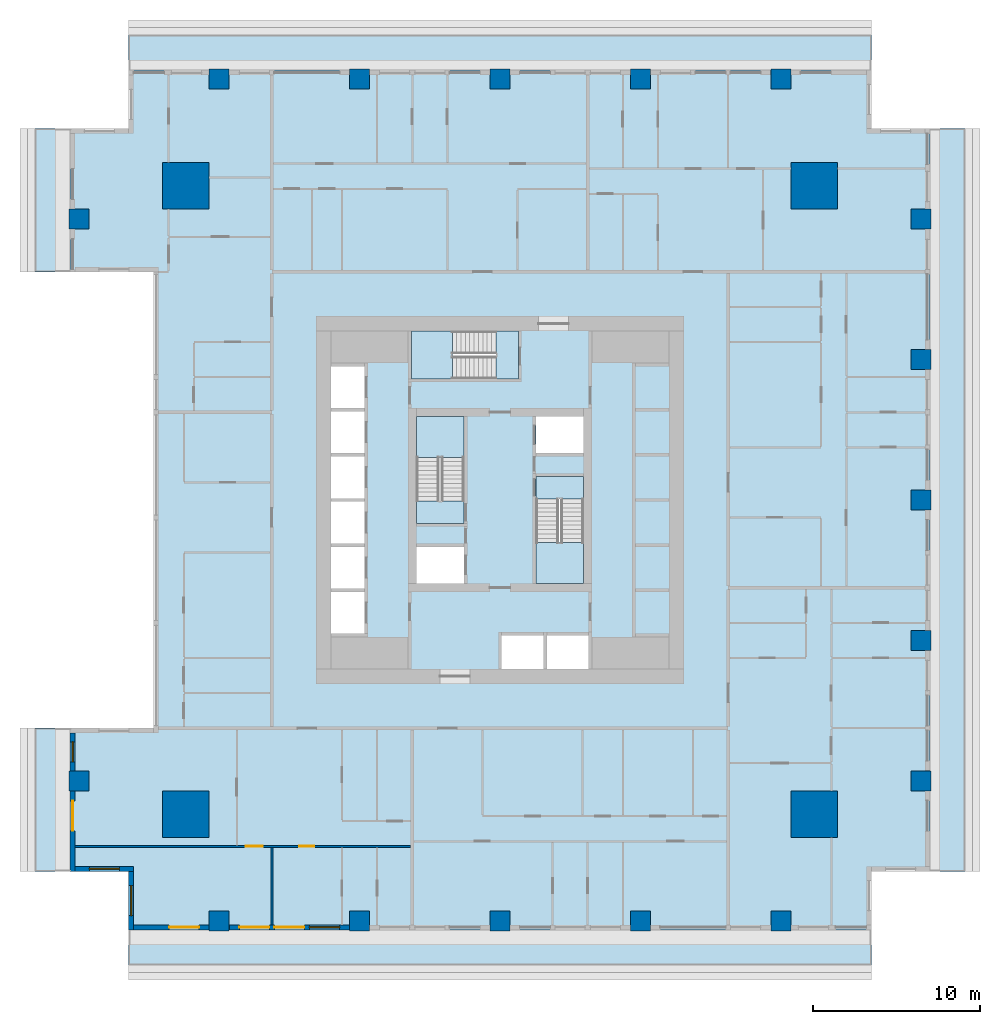
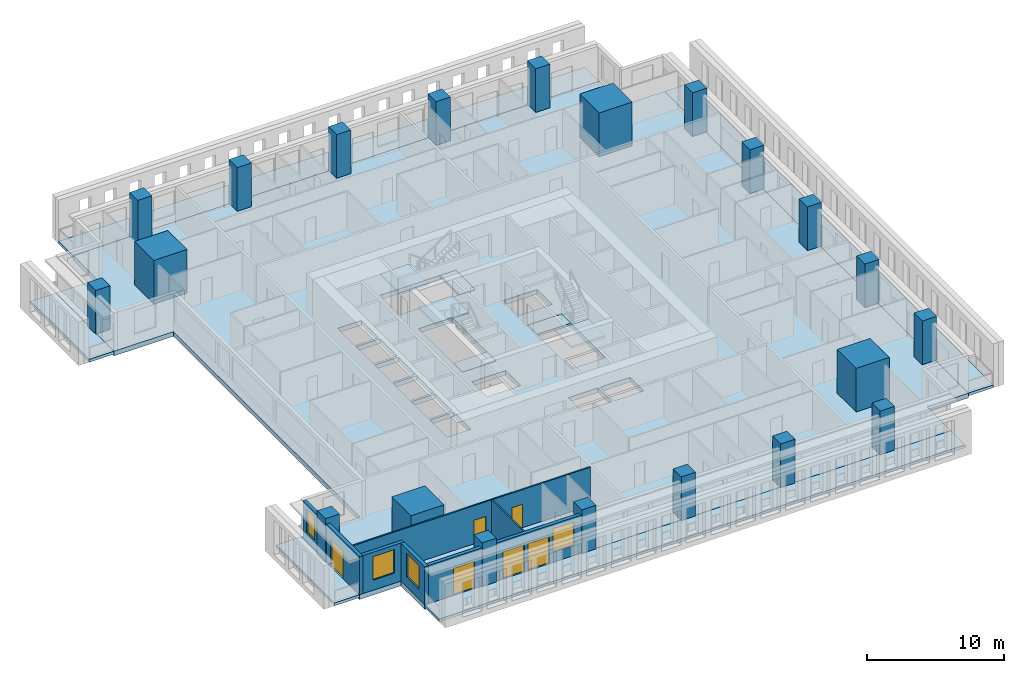
# One storey, part 1 of 14: 21 columns, 12 slabs, 8 walls, 6 doors, 4 windows, 10 openings, 3 elements without a shape of their own.
"""IFC4 building model written with IfcOpenShell, lengths in metres."""

from ifc_helpers import new_model, si_unit, direction, frame, frame_2d, origin, origin_2d, place, context, subcontext, project, spatial, polyline, rectangle, outline, extrude, material, layer, layer_set, material_profile, profile_set, type_object, element, fill, aggregate, save


model = new_model("IFC4")

# Units and contexts
model_context = context("Model", 3, precision=1e-05, world=origin(), true_north=direction((0.0, 1.0)))
body_context = subcontext(model_context, "Body", "Model", "MODEL_VIEW")
ifc_project = project(units=[si_unit("LENGTHUNIT", "METRE"), si_unit("AREAUNIT", "SQUARE_METRE"), si_unit("VOLUMEUNIT", "CUBIC_METRE"), si_unit("PLANEANGLEUNIT", "RADIAN"), si_unit("MASSUNIT", "GRAM", prefix="KILO")], contexts=[model_context])

# Site, building, storey
site_placement = place(None, origin())
site = spatial("IfcSite", under=ifc_project, at=site_placement, CompositionType="ELEMENT")
building_placement = place(site_placement, origin())
building = spatial("IfcBuilding", under=site, at=building_placement, Name="Khepri Terraces", CompositionType="ELEMENT")
storey_placement = place(building_placement, frame((0.0, 0.0, 122.10009765625)))
storey = spatial("IfcBuildingStorey", under=building, at=storey_placement, Name="L29", CompositionType="ELEMENT", Elevation=122.10009765625)

# Columns
ifc_material_1 = material(Name="Concrete C70/85", Category="concrete")
ifc_material_profile_1 = material_profile(ifc_material_1, rectangle(XDim=2.800048828125, YDim=2.800048828125, at=origin_2d()), Name="Concrete C70/85", Category="concrete")
ifc_profile_set_1 = profile_set([ifc_material_profile_1], Name="Concrete C70/85")
column_type_1 = type_object("IfcColumnType", Name="Mega column RC 2800x2800 C70/85", PredefinedType="COLUMN", material=ifc_profile_set_1)
for number, where, z_axis, x_axis, name in (
    (1, (18.800048828125, 18.800048828125, 0.0), (0.0, 0.0, 1.0), (1.0, 0.0, 0.0), "Mega column MEN L29"),
    (2, (18.800048828125, -18.800048828125, 0.0), (0.0, 0.0, 1.0), (1.0, 0.0, 0.0), "Mega column MES L29"),
    (3, (-18.800048828125, 18.800048828125, 0.0), (0.0, 0.0, 1.0), (1.0, 0.0, 0.0), "Mega column MWN L29"),
    (4, (-18.800048828125, -18.800048828125, 0.0), (0.0, 0.0, 1.0), (1.0, 0.0, 0.0), "Mega column MWS L29"),
):
    element("IfcColumn", number, at=place(storey_placement, frame(where, z_axis=z_axis, x_axis=x_axis)), inside=storey, type_object=column_type_1, Name=name, PredefinedType="COLUMN", context=body_context, shape_type="SweptSolid", body=[
        extrude(rectangle(XDim=2.800048828125, YDim=2.800048828125, at=origin_2d()), origin(), (0.0, 0.0, 1.0), 3.89990234375),
    ])
ifc_material_profile_2 = material_profile(ifc_material_1, rectangle(XDim=1.199951171875, YDim=1.199951171875, at=origin_2d()), Name="Concrete C70/85", Category="concrete")
ifc_profile_set_2 = profile_set([ifc_material_profile_2], Name="Concrete C70/85")
column_type_2 = type_object("IfcColumnType", Name="Tower column RC 1200x1200 C70/85", PredefinedType="COLUMN", material=ifc_profile_set_2)
for number, where, z_axis, x_axis, name in (
    (5, (25.199951171875, 0.0, 0.0), (0.0, 0.0, 1.0), (1.0, 0.0, 0.0), "Perimeter column PE+000a L29"),
    (6, (25.199951171875, 8.39990234375, 0.0), (0.0, 0.0, 1.0), (1.0, 0.0, 0.0), "Perimeter column PE+084a L29"),
    (7, (25.199951171875, 16.800048828125, 0.0), (0.0, 0.0, 1.0), (1.0, 0.0, 0.0), "Perimeter column PE+168a L29"),
    (8, (25.199951171875, -8.39990234375, 0.0), (0.0, 0.0, 1.0), (1.0, 0.0, 0.0), "Perimeter column PE-084a L29"),
    (9, (25.199951171875, -16.800048828125, 0.0), (0.0, 0.0, 1.0), (1.0, 0.0, 0.0), "Perimeter column PE-168a L29"),
    (10, (0.0, 25.199951171875, 0.0), (0.0, 0.0, 1.0), (1.0, 0.0, 0.0), "Perimeter column PN+000a L29"),
    (11, (-8.39990234375, 25.199951171875, 0.0), (0.0, 0.0, 1.0), (1.0, 0.0, 0.0), "Perimeter column PN+084a L29"),
    (12, (-16.800048828125, 25.199951171875, 0.0), (0.0, 0.0, 1.0), (1.0, 0.0, 0.0), "Perimeter column PN+168a L29"),
    (13, (8.39990234375, 25.199951171875, 0.0), (0.0, 0.0, 1.0), (1.0, 0.0, 0.0), "Perimeter column PN-084a L29"),
    (14, (16.800048828125, 25.199951171875, 0.0), (0.0, 0.0, 1.0), (1.0, 0.0, 0.0), "Perimeter column PN-168a L29"),
    (15, (0.0, -25.199951171875, 0.0), (0.0, 0.0, 1.0), (1.0, 0.0, 0.0), "Perimeter column PS+000b L29"),
    (16, (8.39990234375, -25.199951171875, 0.0), (0.0, 0.0, 1.0), (1.0, 0.0, 0.0), "Perimeter column PS+084b L29"),
    (17, (16.800048828125, -25.199951171875, 0.0), (0.0, 0.0, 1.0), (1.0, 0.0, 0.0), "Perimeter column PS+168a L29"),
    (18, (-8.39990234375, -25.199951171875, 0.0), (0.0, 0.0, 1.0), (1.0, 0.0, 0.0), "Perimeter column PS-084b L29"),
    (19, (-16.800048828125, -25.199951171875, 0.0), (0.0, 0.0, 1.0), (1.0, 0.0, 0.0), "Perimeter column PS-168a L29"),
    (20, (-25.199951171875, -16.800048828125, 0.0), (0.0, 0.0, 1.0), (1.0, 0.0, 0.0), "Perimeter column PW+168a L29"),
    (21, (-25.199951171875, 16.800048828125, 0.0), (0.0, 0.0, 1.0), (1.0, 0.0, 0.0), "Perimeter column PW-168a L29"),
):
    element("IfcColumn", number, at=place(storey_placement, frame(where, z_axis=z_axis, x_axis=x_axis)), inside=storey, type_object=column_type_2, Name=name, PredefinedType="COLUMN", context=body_context, shape_type="SweptSolid", body=[
        extrude(rectangle(XDim=1.199951171875, YDim=1.199951171875, at=origin_2d()), origin(), (0.0, 0.0, 1.0), 3.89990234375),
    ])

# Slabs
ifc_material_2 = material(Name="Concrete C40/50", Category="concrete")
ifc_layer_1 = layer(ifc_material_2, 0.419921875, Name="Concrete C40/50", Category="concrete")
ifc_layer_set_1 = layer_set([ifc_layer_1], Name="Concrete C40/50")
slab_type_1 = type_object("IfcSlabType", Name="Flat plate 420", PredefinedType="FLOOR", material=ifc_layer_set_1)
slab_1_placement = place(storey_placement, frame((0.0, 0.0, -0.420166015625)))
element("IfcSlab", 22, at=slab_1_placement, inside=storey, type_object=slab_type_1, Name="Floor slab F01 L29", PredefinedType="FLOOR", context=body_context, shape_type="SweptSolid", body=[
    extrude(outline(polyline([(22.219970703125, 22.219970703125), (25.719970703125, 22.219970703125), (25.719970703125, -22.219970703125), (22.219970703125, -22.219970703125), (22.219970703125, -25.719970703125), (-22.219970703125, -25.719970703125), (-22.219970703125, -22.219970703125), (-25.719970703125, -22.219970703125), (-25.719970703125, -13.64990234375), (-20.719970703125, -13.64990234375), (-20.719970703125, 13.64990234375), (-25.719970703125, 13.64990234375), (-25.719970703125, 22.219970703125), (-22.219970703125, 22.219970703125), (-22.219970703125, 25.719970703125), (22.219970703125, 25.719970703125), (22.219970703125, 22.219970703125)]), holes=[polyline([(5.0, 5.0), (2.14990234375, 5.0), (2.14990234375, 2.800048828125), (5.0, 2.800048828125), (5.0, 5.0)]), polyline([(-2.14990234375, -5.0), (-2.14990234375, -2.800048828125), (-5.0, -2.800048828125), (-5.0, -5.0), (-2.14990234375, -5.0)]), polyline([(-10.10009765625, -8.0), (-8.10009765625, -8.0), (-8.10009765625, -5.5), (-10.10009765625, -5.5), (-10.10009765625, -8.0)]), polyline([(-10.10009765625, -2.800048828125), (-10.10009765625, -5.300048828125), (-8.10009765625, -5.300048828125), (-8.10009765625, -2.800048828125), (-10.10009765625, -2.800048828125)]), polyline([(-8.10009765625, -0.10009765625), (-10.10009765625, -0.10009765625), (-10.10009765625, -2.60009765625), (-8.10009765625, -2.60009765625), (-8.10009765625, -0.10009765625)]), polyline([(-8.10009765625, 0.10009765625), (-8.10009765625, 2.60009765625), (-10.10009765625, 2.60009765625), (-10.10009765625, 0.10009765625), (-8.10009765625, 0.10009765625)]), polyline([(-10.10009765625, 2.800048828125), (-8.10009765625, 2.800048828125), (-8.10009765625, 5.300048828125), (-10.10009765625, 5.300048828125), (-10.10009765625, 2.800048828125)]), polyline([(-10.10009765625, 8.0), (-10.10009765625, 5.5), (-8.10009765625, 5.5), (-8.10009765625, 8.0), (-10.10009765625, 8.0)]), polyline([(2.60009765625, -8.10009765625), (0.10009765625, -8.10009765625), (0.10009765625, -10.10009765625), (2.60009765625, -10.10009765625), (2.60009765625, -8.10009765625)]), polyline([(5.300048828125, -10.10009765625), (5.300048828125, -8.10009765625), (2.800048828125, -8.10009765625), (2.800048828125, -10.10009765625), (5.300048828125, -10.10009765625)]), polyline([(-5.0, -1.39990234375), (-2.14990234375, -1.39990234375), (-2.14990234375, 5.0), (-5.0, 5.0), (-5.0, -1.39990234375)]), polyline([(5.0, -5.0), (5.0, 1.39990234375), (2.14990234375, 1.39990234375), (2.14990234375, -5.0), (5.0, -5.0)]), polyline([(-5.300048828125, 10.10009765625), (-5.300048828125, 7.25), (1.10009765625, 7.25), (1.10009765625, 10.10009765625), (-5.300048828125, 10.10009765625)])]), origin(), (0.0, 0.0, 1.0), 0.420166015625),
])
ifc_material_3 = material(Name="Precast concrete C50/60 warm stone", Category="masonry")
ifc_layer_2 = layer(ifc_material_3, 0.25, Name="Precast concrete C50/60 warm stone", Category="masonry")
ifc_layer_set_2 = layer_set([ifc_layer_2], Name="Precast concrete C50/60 warm stone")
slab_type_2 = type_object("IfcSlabType", Name="SLB-BALCONY-250", PredefinedType="FLOOR", material=ifc_layer_set_2)
slab_2_placement = place(storey_placement, frame((0.0, 0.0, -0.25)))
element("IfcSlab", 23, at=slab_2_placement, inside=storey, type_object=slab_type_2, Name="Balcony slab L29 S", PredefinedType="FLOOR", context=body_context, shape_type="SweptSolid", body=[
    extrude(outline(polyline([(-17.39990234375, -25.719970703125), (-22.219970703125, -25.719970703125), (-22.219970703125, -27.820068359375), (22.219970703125, -27.820068359375), (22.219970703125, -25.719970703125), (17.39990234375, -25.719970703125), (17.39990234375, -25.800048828125), (16.199951171875, -25.800048828125), (16.199951171875, -25.719970703125), (9.0, -25.719970703125), (9.0, -25.800048828125), (7.800048828125, -25.800048828125), (7.800048828125, -25.719970703125), (0.60009765625, -25.719970703125), (0.60009765625, -25.800048828125), (-0.60009765625, -25.800048828125), (-0.60009765625, -25.719970703125), (-7.800048828125, -25.719970703125), (-7.800048828125, -25.800048828125), (-9.0, -25.800048828125), (-9.0, -25.719970703125), (-16.199951171875, -25.719970703125), (-16.199951171875, -25.800048828125), (-17.39990234375, -25.800048828125), (-17.39990234375, -25.719970703125)])), origin(), (0.0, 0.0, 1.0), 0.25),
])
slab_3_placement = place(storey_placement, frame((0.0, 0.0, -0.25)))
element("IfcSlab", 24, at=slab_3_placement, inside=storey, type_object=slab_type_2, Name="Balcony slab L29 E", PredefinedType="FLOOR", context=body_context, shape_type="SweptSolid", body=[
    extrude(outline(polyline([(25.719970703125, -17.39990234375), (25.719970703125, -22.219970703125), (27.820068359375, -22.219970703125), (27.820068359375, 22.219970703125), (25.719970703125, 22.219970703125), (25.719970703125, 17.39990234375), (25.800048828125, 17.39990234375), (25.800048828125, 16.199951171875), (25.719970703125, 16.199951171875), (25.719970703125, 9.0), (25.800048828125, 9.0), (25.800048828125, 7.800048828125), (25.719970703125, 7.800048828125), (25.719970703125, 0.60009765625), (25.800048828125, 0.60009765625), (25.800048828125, -0.60009765625), (25.719970703125, -0.60009765625), (25.719970703125, -7.800048828125), (25.800048828125, -7.800048828125), (25.800048828125, -9.0), (25.719970703125, -9.0), (25.719970703125, -16.199951171875), (25.800048828125, -16.199951171875), (25.800048828125, -17.39990234375), (25.719970703125, -17.39990234375)])), origin(), (0.0, 0.0, 1.0), 0.25),
])
slab_4_placement = place(storey_placement, frame((0.0, 0.0, -0.25)))
element("IfcSlab", 25, at=slab_4_placement, inside=storey, type_object=slab_type_2, Name="Balcony slab L29 N", PredefinedType="FLOOR", context=body_context, shape_type="SweptSolid", body=[
    extrude(outline(polyline([(17.39990234375, 25.719970703125), (22.219970703125, 25.719970703125), (22.219970703125, 27.820068359375), (-22.219970703125, 27.820068359375), (-22.219970703125, 25.719970703125), (-17.39990234375, 25.719970703125), (-17.39990234375, 25.800048828125), (-16.199951171875, 25.800048828125), (-16.199951171875, 25.719970703125), (-9.0, 25.719970703125), (-9.0, 25.800048828125), (-7.800048828125, 25.800048828125), (-7.800048828125, 25.719970703125), (-0.60009765625, 25.719970703125), (-0.60009765625, 25.800048828125), (0.60009765625, 25.800048828125), (0.60009765625, 25.719970703125), (7.800048828125, 25.719970703125), (7.800048828125, 25.800048828125), (9.0, 25.800048828125), (9.0, 25.719970703125), (16.199951171875, 25.719970703125), (16.199951171875, 25.800048828125), (17.39990234375, 25.800048828125), (17.39990234375, 25.719970703125)])), origin(), (0.0, 0.0, 1.0), 0.25),
])
slab_5_placement = place(storey_placement, frame((0.0, 0.0, -0.25)))
element("IfcSlab", 26, at=slab_5_placement, inside=storey, type_object=slab_type_2, Name="Balcony slab L29 W", PredefinedType="FLOOR", context=body_context, shape_type="SweptSolid", body=[
    extrude(outline(polyline([(-25.719970703125, 17.39990234375), (-25.719970703125, 22.219970703125), (-27.820068359375, 22.219970703125), (-27.820068359375, 13.64990234375), (-25.719970703125, 13.64990234375), (-25.719970703125, 16.199951171875), (-25.800048828125, 16.199951171875), (-25.800048828125, 17.39990234375), (-25.719970703125, 17.39990234375)])), origin(), (0.0, 0.0, 1.0), 0.25),
])
slab_6_placement = place(storey_placement, frame((0.0, 0.0, -0.25)))
element("IfcSlab", 27, at=slab_6_placement, inside=storey, type_object=slab_type_2, Name="Balcony slab L29 W", PredefinedType="FLOOR", context=body_context, shape_type="SweptSolid", body=[
    extrude(outline(polyline([(-25.719970703125, -16.199951171875), (-25.719970703125, -13.64990234375), (-27.820068359375, -13.64990234375), (-27.820068359375, -22.219970703125), (-25.719970703125, -22.219970703125), (-25.719970703125, -17.39990234375), (-25.800048828125, -17.39990234375), (-25.800048828125, -16.199951171875), (-25.719970703125, -16.199951171875)])), origin(), (0.0, 0.0, 1.0), 0.25),
])

# Stair, slabs
stair_type = type_object("IfcStairType", Name="STAIR-RC-22R", PredefinedType="HALF_TURN_STAIR", material=ifc_material_2)
stair_1_placement = place(storey_placement, origin())
stair_1 = element("IfcStair", 28, at=stair_1_placement, inside=storey, type_object=stair_type, Name="L29 Exit Stair ST-1", PredefinedType="HALF_TURN_STAIR")
ifc_layer_3 = layer(ifc_material_2, 0.199951171875, Name="Concrete C40/50", Category="concrete")
ifc_layer_set_3 = layer_set([ifc_layer_3], Name="Concrete C40/50")
slab_type_3 = type_object("IfcSlabType", Name="SLB-CORE-LANDING", PredefinedType="LANDING", material=ifc_layer_set_3)
slab_7_placement = place(storey_placement, frame((0.0, 0.0, -0.2001953125)))
slab_7 = element("IfcSlab", 29, at=slab_7_placement, type_object=slab_type_3, Name="ST-1 landing 1", PredefinedType="LANDING", context=body_context, shape_type="SweptSolid", body=[
    extrude(outline(polyline([(-2.14990234375, -1.39990234375), (-2.14990234375, -0.050048828125), (-5.0, -0.050048828125), (-5.0, -1.39990234375), (-2.14990234375, -1.39990234375)])), origin(), (0.0, 0.0, 1.0), 0.2001953125),
])
slab_8_placement = place(storey_placement, frame((0.0, 0.0, 1.75)))
slab_8 = element("IfcSlab", 30, at=slab_8_placement, type_object=slab_type_3, Name="ST-1 landing 2", PredefinedType="LANDING", context=body_context, shape_type="SweptSolid", body=[
    extrude(outline(polyline([(-2.14990234375, 2.550048828125), (-2.14990234375, 5.0), (-5.0, 5.0), (-5.0, 2.550048828125), (-2.14990234375, 2.550048828125)])), origin(), (0.0, 0.0, 1.0), 0.199951171875),
])
aggregate(stair_1, [slab_7, slab_8])

stair_2_placement = place(storey_placement, origin())
stair_2 = element("IfcStair", 31, at=stair_2_placement, inside=storey, type_object=stair_type, Name="L29 Exit Stair ST-2", PredefinedType="HALF_TURN_STAIR")
slab_9_placement = place(storey_placement, frame((0.0, 0.0, -0.2001953125)))
slab_9 = element("IfcSlab", 32, at=slab_9_placement, type_object=slab_type_3, Name="ST-2 landing 1", PredefinedType="LANDING", context=body_context, shape_type="SweptSolid", body=[
    extrude(outline(polyline([(2.14990234375, 1.39990234375), (2.14990234375, 0.050048828125), (5.0, 0.050048828125), (5.0, 1.39990234375), (2.14990234375, 1.39990234375)])), origin(), (0.0, 0.0, 1.0), 0.2001953125),
])
slab_10_placement = place(storey_placement, frame((0.0, 0.0, 1.75)))
slab_10 = element("IfcSlab", 33, at=slab_10_placement, type_object=slab_type_3, Name="ST-2 landing 2", PredefinedType="LANDING", context=body_context, shape_type="SweptSolid", body=[
    extrude(outline(polyline([(2.14990234375, -2.550048828125), (2.14990234375, -5.0), (5.0, -5.0), (5.0, -2.550048828125), (2.14990234375, -2.550048828125)])), origin(), (0.0, 0.0, 1.0), 0.199951171875),
])
aggregate(stair_2, [slab_9, slab_10])

stair_3_placement = place(storey_placement, origin())
stair_3 = element("IfcStair", 34, at=stair_3_placement, inside=storey, type_object=stair_type, Name="L29 Exit Stair ST-3", PredefinedType="HALF_TURN_STAIR")
slab_11_placement = place(storey_placement, frame((0.0, 0.0, -0.2001953125)))
slab_11 = element("IfcSlab", 35, at=slab_11_placement, type_object=slab_type_3, Name="ST-3 landing 1", PredefinedType="LANDING", context=body_context, shape_type="SweptSolid", body=[
    extrude(outline(polyline([(1.10009765625, 10.10009765625), (-0.25, 10.10009765625), (-0.25, 7.25), (1.10009765625, 7.25), (1.10009765625, 10.10009765625)])), origin(), (0.0, 0.0, 1.0), 0.2001953125),
])
slab_12_placement = place(storey_placement, frame((0.0, 0.0, 1.75)))
slab_12 = element("IfcSlab", 36, at=slab_12_placement, type_object=slab_type_3, Name="ST-3 landing 2", PredefinedType="LANDING", context=body_context, shape_type="SweptSolid", body=[
    extrude(outline(polyline([(-2.85009765625, 10.10009765625), (-5.300048828125, 10.10009765625), (-5.300048828125, 7.25), (-2.85009765625, 7.25), (-2.85009765625, 10.10009765625)])), origin(), (0.0, 0.0, 1.0), 0.199951171875),
])
aggregate(stair_3, [slab_11, slab_12])

# Wall, opening, window
ifc_layer_4 = layer(ifc_material_3, 0.300048828125, Name="Precast concrete C50/60 warm stone", Category="masonry")
ifc_layer_set_4 = layer_set([ifc_layer_4], Name="Precast concrete C50/60 warm stone")
wall_type_1 = type_object("IfcWallType", Name="WL-EXT-PRECAST-300", PredefinedType="STANDARD", material=ifc_layer_set_4)
wall_1_placement = place(storey_placement, frame((-25.570068359375, -13.949951171875, 0.0), z_axis=(0.0, 0.0, 1.0), x_axis=(0.0, -1.0, 0.0)))
wall_1 = element("IfcWall", 37, at=wall_1_placement, inside=storey, type_object=wall_type_1, Name="External wall L29 W", PredefinedType="STANDARD", context=body_context, shape_type="SweptSolid", body=[
    extrude(rectangle(XDim=2.25, YDim=0.300048828125, at=frame_2d((1.125, 0.0))), origin(), (0.0, 0.0, 1.0), 3.39990234375),
])
opening_1_placement = place(wall_1_placement, frame((0.52490234375, 0.0, 0.89990234375)))
opening_1 = element("IfcOpeningElement", 38, at=opening_1_placement, cuts=wall_1, Name="Opening W4", PredefinedType="OPENING", context=body_context, shape_type="SweptSolid", body=[
    extrude(rectangle(XDim=1.199951171875, YDim=2.10009765625, at=frame_2d((0.60009765625, 1.050048828125))), frame((0.0, 0.16015625, 0.0), z_axis=(0.0, -1.0, 0.0), x_axis=(1.0, 0.0, 0.0)), (0.0, 0.0, 1.0), 0.320068359375),
])
ifc_material_4 = material(Name="Clear glass", Category="glass")
window_type_1 = type_object("IfcWindowType", Name="WIN-RES-1200x2100", PartitioningType="SINGLE_PANEL", PredefinedType="WINDOW", material=ifc_material_4)
window_1_placement = place(opening_1_placement, origin())
window_1 = element("IfcWindow", 39, at=window_1_placement, inside=storey, type_object=window_type_1, Name="Window L29 W", OverallHeight=2.10009765625, OverallWidth=1.199951171875, PartitioningType="SINGLE_PANEL", PredefinedType="WINDOW", context=body_context, shape_type="SweptSolid", body=[
    extrude(rectangle(XDim=1.199951171875, YDim=2.10009765625, at=frame_2d((0.60009765625, 1.050048828125))), frame((0.0, 0.030029296875, 0.0), z_axis=(0.0, -1.0, 0.0), x_axis=(1.0, 0.0, 0.0)), (0.0, 0.0, 1.0), 0.06005859375),
])
fill(opening_1, window_1)

# Wall, opening, door
wall_2_placement = place(storey_placement, frame((-25.570068359375, -17.39990234375, 0.0), z_axis=(0.0, 0.0, 1.0), x_axis=(0.0, -1.0, 0.0)))
wall_2 = element("IfcWall", 40, at=wall_2_placement, inside=storey, type_object=wall_type_1, Name="External wall L29 W", PredefinedType="STANDARD", context=body_context, shape_type="SweptSolid", body=[
    extrude(rectangle(XDim=4.820068359375, YDim=0.300048828125, at=frame_2d((2.41015625, 0.0))), origin(), (0.0, 0.0, 1.0), 3.39990234375),
])
opening_2_placement = place(wall_2_placement, frame((0.60009765625, 0.0, 0.0)))
opening_2 = element("IfcOpeningElement", 41, at=opening_2_placement, cuts=wall_2, Name="Opening ED-L29-17", PredefinedType="OPENING", context=body_context, shape_type="SweptSolid", body=[
    extrude(rectangle(XDim=1.800048828125, YDim=2.39990234375, at=frame_2d((0.89990234375, 1.199951171875))), frame((0.0, 0.16015625, 0.0), z_axis=(0.0, -1.0, 0.0), x_axis=(1.0, 0.0, 0.0)), (0.0, 0.0, 1.0), 0.320068359375),
])
ifc_material_5 = material(Name="Anodised aluminium bronze glazed door", Category="aluminium")
door_type_1 = type_object("IfcDoorType", Name="DR-BAL-SLIDE-1800x2400", OperationType="NOTDEFINED", PredefinedType="DOOR", material=ifc_material_5)
door_1_placement = place(opening_2_placement, origin())
door_1 = element("IfcDoor", 42, at=door_1_placement, inside=storey, type_object=door_type_1, Name="Balcony door L29 W", OperationType="SLIDING_TO_LEFT", OverallHeight=2.39990234375, OverallWidth=1.800048828125, PredefinedType="DOOR", context=body_context, shape_type="SweptSolid", body=[
    extrude(rectangle(XDim=1.800048828125, YDim=2.39990234375, at=frame_2d((0.89990234375, 1.199951171875))), frame((0.0, 0.02490234375, 0.0), z_axis=(0.0, -1.0, 0.0), x_axis=(1.0, 0.0, 0.0)), (0.0, 0.0, 1.0), 0.050048828125),
])
fill(opening_2, door_1)

# Wall, opening, window
wall_3_placement = place(storey_placement, frame((-25.419921875, -22.070068359375, 0.0), z_axis=(0.0, 0.0, 1.0), x_axis=(1.0, 0.0, 0.0)))
wall_3 = element("IfcWall", 43, at=wall_3_placement, inside=storey, type_object=wall_type_1, Name="External wall L29 S", PredefinedType="STANDARD", context=body_context, shape_type="SweptSolid", body=[
    extrude(rectangle(XDim=3.5, YDim=0.300048828125, at=frame_2d((1.75, 0.0))), origin(), (0.0, 0.0, 1.0), 3.39990234375),
])
opening_3_placement = place(wall_3_placement, frame((0.85009765625, 0.0, 0.89990234375)))
opening_3 = element("IfcOpeningElement", 44, at=opening_3_placement, cuts=wall_3, Name="Opening W1", PredefinedType="OPENING", context=body_context, shape_type="SweptSolid", body=[
    extrude(rectangle(XDim=1.800048828125, YDim=2.10009765625, at=frame_2d((0.89990234375, 1.050048828125))), frame((0.0, 0.16015625, 0.0), z_axis=(0.0, -1.0, 0.0), x_axis=(1.0, 0.0, 0.0)), (0.0, 0.0, 1.0), 0.320068359375),
])
window_type_2 = type_object("IfcWindowType", Name="WIN-RES-1800x2100", PartitioningType="SINGLE_PANEL", PredefinedType="WINDOW", material=ifc_material_4)
window_2_placement = place(opening_3_placement, origin())
window_2 = element("IfcWindow", 45, at=window_2_placement, inside=storey, type_object=window_type_2, Name="Window L29 S", OverallHeight=2.10009765625, OverallWidth=1.800048828125, PartitioningType="SINGLE_PANEL", PredefinedType="WINDOW", context=body_context, shape_type="SweptSolid", body=[
    extrude(rectangle(XDim=1.800048828125, YDim=2.10009765625, at=frame_2d((0.89990234375, 1.050048828125))), frame((0.0, 0.030029296875, 0.0), z_axis=(0.0, -1.0, 0.0), x_axis=(1.0, 0.0, 0.0)), (0.0, 0.0, 1.0), 0.06005859375),
])
fill(opening_3, window_2)

wall_4_placement = place(storey_placement, frame((-22.070068359375, -22.219970703125, 0.0), z_axis=(0.0, 0.0, 1.0), x_axis=(0.0, -1.0, 0.0)))
wall_4 = element("IfcWall", 46, at=wall_4_placement, inside=storey, type_object=wall_type_1, Name="External wall L29 W", PredefinedType="STANDARD", context=body_context, shape_type="SweptSolid", body=[
    extrude(rectangle(XDim=3.5, YDim=0.300048828125, at=frame_2d((1.75, 0.0))), origin(), (0.0, 0.0, 1.0), 3.39990234375),
])
opening_4_placement = place(wall_4_placement, frame((0.85009765625, 0.0, 0.89990234375)))
opening_4 = element("IfcOpeningElement", 47, at=opening_4_placement, cuts=wall_4, Name="Opening W1", PredefinedType="OPENING", context=body_context, shape_type="SweptSolid", body=[
    extrude(rectangle(XDim=1.800048828125, YDim=2.10009765625, at=frame_2d((0.89990234375, 1.050048828125))), frame((0.0, 0.16015625, 0.0), z_axis=(0.0, -1.0, 0.0), x_axis=(1.0, 0.0, 0.0)), (0.0, 0.0, 1.0), 0.320068359375),
])
window_3_placement = place(opening_4_placement, origin())
window_3 = element("IfcWindow", 48, at=window_3_placement, inside=storey, type_object=window_type_2, Name="Window L29 W", OverallHeight=2.10009765625, OverallWidth=1.800048828125, PartitioningType="SINGLE_PANEL", PredefinedType="WINDOW", context=body_context, shape_type="SweptSolid", body=[
    extrude(rectangle(XDim=1.800048828125, YDim=2.10009765625, at=frame_2d((0.89990234375, 1.050048828125))), frame((0.0, 0.030029296875, 0.0), z_axis=(0.0, -1.0, 0.0), x_axis=(1.0, 0.0, 0.0)), (0.0, 0.0, 1.0), 0.06005859375),
])
fill(opening_4, window_3)

# Wall, opening, door
wall_5_placement = place(storey_placement, frame((-21.919921875, -25.570068359375, 0.0), z_axis=(0.0, 0.0, 1.0), x_axis=(1.0, 0.0, 0.0)))
wall_5 = element("IfcWall", 49, at=wall_5_placement, inside=storey, type_object=wall_type_1, Name="External wall L29 S", PredefinedType="STANDARD", context=body_context, shape_type="SweptSolid", body=[
    extrude(rectangle(XDim=4.52001953125, YDim=0.300048828125, at=frame_2d((2.260009765625, 0.0))), origin(), (0.0, 0.0, 1.0), 3.39990234375),
])
opening_5_placement = place(wall_5_placement, frame((2.1201171875, 0.0, 0.0)))
opening_5 = element("IfcOpeningElement", 50, at=opening_5_placement, cuts=wall_5, Name="Opening ED-L29-18", PredefinedType="OPENING", context=body_context, shape_type="SweptSolid", body=[
    extrude(rectangle(XDim=1.800048828125, YDim=2.39990234375, at=frame_2d((0.89990234375, 1.199951171875))), frame((0.0, 0.16015625, 0.0), z_axis=(0.0, -1.0, 0.0), x_axis=(1.0, 0.0, 0.0)), (0.0, 0.0, 1.0), 0.320068359375),
])
door_2_placement = place(opening_5_placement, origin())
door_2 = element("IfcDoor", 51, at=door_2_placement, inside=storey, type_object=door_type_1, Name="Balcony door L29 S", OperationType="SLIDING_TO_RIGHT", OverallHeight=2.39990234375, OverallWidth=1.800048828125, PredefinedType="DOOR", context=body_context, shape_type="SweptSolid", body=[
    extrude(rectangle(XDim=1.800048828125, YDim=2.39990234375, at=frame_2d((0.89990234375, 1.199951171875))), frame((0.0, 0.02490234375, 0.0), z_axis=(0.0, -1.0, 0.0), x_axis=(1.0, 0.0, 0.0)), (0.0, 0.0, 1.0), 0.050048828125),
])
fill(opening_5, door_2)

# Wall, openings, doors, window
wall_6_placement = place(storey_placement, frame((-16.199951171875, -25.570068359375, 0.0), z_axis=(0.0, 0.0, 1.0), x_axis=(1.0, 0.0, 0.0)))
wall_6 = element("IfcWall", 52, at=wall_6_placement, inside=storey, type_object=wall_type_1, Name="External wall L29 S", PredefinedType="STANDARD", context=body_context, shape_type="SweptSolid", body=[
    extrude(rectangle(XDim=7.199951171875, YDim=0.300048828125, at=frame_2d((3.60009765625, 0.0))), origin(), (0.0, 0.0, 1.0), 3.39990234375),
])
opening_6_placement = place(wall_6_placement, frame((0.60009765625, 0.0, 0.0)))
opening_6 = element("IfcOpeningElement", 53, at=opening_6_placement, cuts=wall_6, Name="Opening ED-L29-19", PredefinedType="OPENING", context=body_context, shape_type="SweptSolid", body=[
    extrude(rectangle(XDim=1.800048828125, YDim=2.39990234375, at=frame_2d((0.89990234375, 1.199951171875))), frame((0.0, 0.16015625, 0.0), z_axis=(0.0, -1.0, 0.0), x_axis=(1.0, 0.0, 0.0)), (0.0, 0.0, 1.0), 0.320068359375),
])
opening_7_placement = place(wall_6_placement, frame((2.699951171875, 0.0, 0.0)))
opening_7 = element("IfcOpeningElement", 54, at=opening_7_placement, cuts=wall_6, Name="Opening ED-L29-20", PredefinedType="OPENING", context=body_context, shape_type="SweptSolid", body=[
    extrude(rectangle(XDim=1.800048828125, YDim=2.39990234375, at=frame_2d((0.89990234375, 1.199951171875))), frame((0.0, 0.16015625, 0.0), z_axis=(0.0, -1.0, 0.0), x_axis=(1.0, 0.0, 0.0)), (0.0, 0.0, 1.0), 0.320068359375),
])
opening_8_placement = place(wall_6_placement, frame((4.800048828125, 0.0, 0.89990234375)))
opening_8 = element("IfcOpeningElement", 55, at=opening_8_placement, cuts=wall_6, Name="Opening W1", PredefinedType="OPENING", context=body_context, shape_type="SweptSolid", body=[
    extrude(rectangle(XDim=1.800048828125, YDim=2.10009765625, at=frame_2d((0.89990234375, 1.050048828125))), frame((0.0, 0.16015625, 0.0), z_axis=(0.0, -1.0, 0.0), x_axis=(1.0, 0.0, 0.0)), (0.0, 0.0, 1.0), 0.320068359375),
])
door_3_placement = place(opening_6_placement, origin())
door_3 = element("IfcDoor", 56, at=door_3_placement, inside=storey, type_object=door_type_1, Name="Balcony door L29 S", OperationType="SLIDING_TO_LEFT", OverallHeight=2.39990234375, OverallWidth=1.800048828125, PredefinedType="DOOR", context=body_context, shape_type="SweptSolid", body=[
    extrude(rectangle(XDim=1.800048828125, YDim=2.39990234375, at=frame_2d((0.89990234375, 1.199951171875))), frame((0.0, 0.02490234375, 0.0), z_axis=(0.0, -1.0, 0.0), x_axis=(1.0, 0.0, 0.0)), (0.0, 0.0, 1.0), 0.050048828125),
])
fill(opening_6, door_3)
door_4_placement = place(opening_7_placement, origin())
door_4 = element("IfcDoor", 57, at=door_4_placement, inside=storey, type_object=door_type_1, Name="Balcony door L29 S", OperationType="SLIDING_TO_RIGHT", OverallHeight=2.39990234375, OverallWidth=1.800048828125, PredefinedType="DOOR", context=body_context, shape_type="SweptSolid", body=[
    extrude(rectangle(XDim=1.800048828125, YDim=2.39990234375, at=frame_2d((0.89990234375, 1.199951171875))), frame((0.0, 0.02490234375, 0.0), z_axis=(0.0, -1.0, 0.0), x_axis=(1.0, 0.0, 0.0)), (0.0, 0.0, 1.0), 0.050048828125),
])
fill(opening_7, door_4)
window_4_placement = place(opening_8_placement, origin())
window_4 = element("IfcWindow", 58, at=window_4_placement, inside=storey, type_object=window_type_2, Name="Window L29 S", OverallHeight=2.10009765625, OverallWidth=1.800048828125, PartitioningType="SINGLE_PANEL", PredefinedType="WINDOW", context=body_context, shape_type="SweptSolid", body=[
    extrude(rectangle(XDim=1.800048828125, YDim=2.10009765625, at=frame_2d((0.89990234375, 1.050048828125))), frame((0.0, 0.030029296875, 0.0), z_axis=(0.0, -1.0, 0.0), x_axis=(1.0, 0.0, 0.0)), (0.0, 0.0, 1.0), 0.06005859375),
])
fill(opening_8, window_4)

# Wall
ifc_material_6 = material(Name="Gypsum plasterboard partition")
ifc_layer_5 = layer(ifc_material_6, 0.1201171875, Name="Gypsum plasterboard partition")
ifc_layer_set_5 = layer_set([ifc_layer_5], Name="Gypsum plasterboard partition")
wall_type_2 = type_object("IfcWallType", Name="WL-PART-120", PredefinedType="PARTITIONING", material=ifc_layer_set_5)
wall_7_placement = place(storey_placement, frame((-13.64990234375, -25.419921875, 0.0), z_axis=(0.0, 0.0, 1.0), x_axis=(0.0, 1.0, 0.0)))
element("IfcWall", 59, at=wall_7_placement, inside=storey, type_object=wall_type_2, Name="Partition P-001 L29", PredefinedType="PARTITIONING", context=body_context, shape_type="SweptSolid", body=[
    extrude(rectangle(XDim=4.639892578125, YDim=0.1201171875, at=frame_2d((2.31982421875, 0.0))), origin(), (0.0, 0.0, 1.0), 3.39990234375),
])

# Wall, openings, doors
wall_8_placement = place(storey_placement, frame((-25.419921875, -20.719970703125, 0.0), z_axis=(0.0, 0.0, 1.0), x_axis=(1.0, 0.0, 0.0)))
wall_8 = element("IfcWall", 60, at=wall_8_placement, inside=storey, type_object=wall_type_2, Name="Partition P-010 L29", PredefinedType="PARTITIONING", context=body_context, shape_type="SweptSolid", body=[
    extrude(rectangle(XDim=20.06982421875, YDim=0.1201171875, at=frame_2d((10.034912109375, 0.0))), origin(), (0.0, 0.0, 1.0), 3.39990234375),
])
opening_9_placement = place(wall_8_placement, frame((10.219970703125, 0.0, 0.0)))
opening_9 = element("IfcOpeningElement", 61, at=opening_9_placement, cuts=wall_8, Name="Opening D2", PredefinedType="OPENING", context=body_context, shape_type="SweptSolid", body=[
    extrude(rectangle(XDim=1.0, YDim=2.10009765625, at=frame_2d((0.5, 1.050048828125))), frame((0.0, 0.070068359375, 0.0), z_axis=(0.0, -1.0, 0.0), x_axis=(1.0, 0.0, 0.0)), (0.0, 0.0, 1.0), 0.14013671875),
])
opening_10_placement = place(wall_8_placement, frame((13.419921875, 0.0, 0.0)))
opening_10 = element("IfcOpeningElement", 62, at=opening_10_placement, cuts=wall_8, Name="Opening D3", PredefinedType="OPENING", context=body_context, shape_type="SweptSolid", body=[
    extrude(rectangle(XDim=0.89990234375, YDim=2.10009765625, at=frame_2d((0.449951171875, 1.050048828125))), frame((0.0, 0.070068359375, 0.0), z_axis=(0.0, -1.0, 0.0), x_axis=(1.0, 0.0, 0.0)), (0.0, 0.0, 1.0), 0.14013671875),
])
ifc_material_7 = material(Name="Timber door leaf, living room door", Category="wood")
door_type_2 = type_object("IfcDoorType", Name="DR-INT-1000", OperationType="NOTDEFINED", PredefinedType="DOOR", material=ifc_material_7)
door_5_placement = place(opening_9_placement, frame((1.0, 0.0, 0.0), z_axis=(0.0, 0.0, 1.0), x_axis=(-1.0, 0.0, 0.0)))
door_5 = element("IfcDoor", 63, at=door_5_placement, inside=storey, type_object=door_type_2, Name="Door Living Room", OperationType="SINGLE_SWING_LEFT", OverallHeight=2.10009765625, OverallWidth=1.0, PredefinedType="DOOR", context=body_context, shape_type="SweptSolid", body=[
    extrude(rectangle(XDim=1.0, YDim=2.10009765625, at=frame_2d((0.5, 1.050048828125))), frame((0.0, 0.02490234375, 0.0), z_axis=(0.0, -1.0, 0.0), x_axis=(1.0, 0.0, 0.0)), (0.0, 0.0, 1.0), 0.050048828125),
])
fill(opening_9, door_5)
ifc_material_8 = material(Name="Timber door leaf", Category="wood")
door_type_3 = type_object("IfcDoorType", Name="DR-INT-900", OperationType="NOTDEFINED", PredefinedType="DOOR", material=ifc_material_8)
door_6_placement = place(opening_10_placement, frame((0.89990234375, 0.0, 0.0), z_axis=(0.0, 0.0, 1.0), x_axis=(-1.0, 0.0, 0.0)))
door_6 = element("IfcDoor", 64, at=door_6_placement, inside=storey, type_object=door_type_3, Name="Door Master Bedroom", OperationType="SINGLE_SWING_LEFT", OverallHeight=2.10009765625, OverallWidth=0.89990234375, PredefinedType="DOOR", context=body_context, shape_type="SweptSolid", body=[
    extrude(rectangle(XDim=0.89990234375, YDim=2.10009765625, at=frame_2d((0.449951171875, 1.050048828125))), frame((0.0, 0.02490234375, 0.0), z_axis=(0.0, -1.0, 0.0), x_axis=(1.0, 0.0, 0.0)), (0.0, 0.0, 1.0), 0.050048828125),
])
fill(opening_10, door_6)

save(model, "model.ifc")
